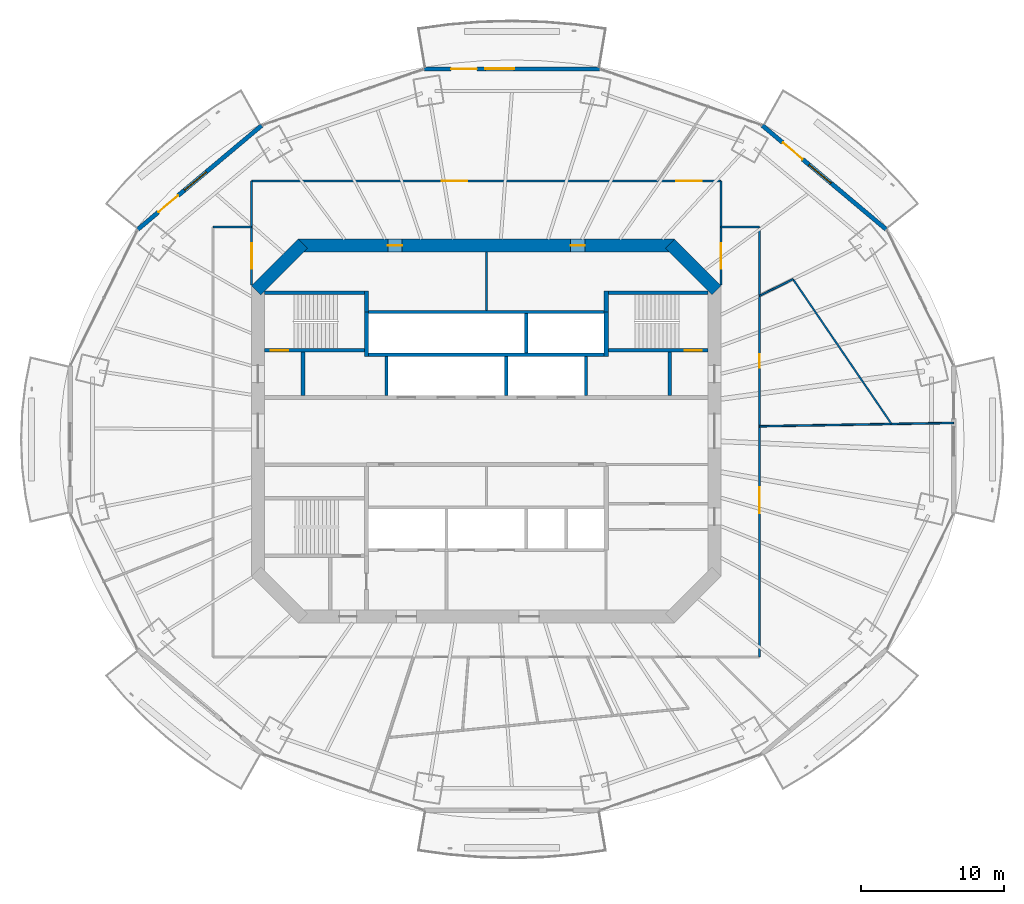
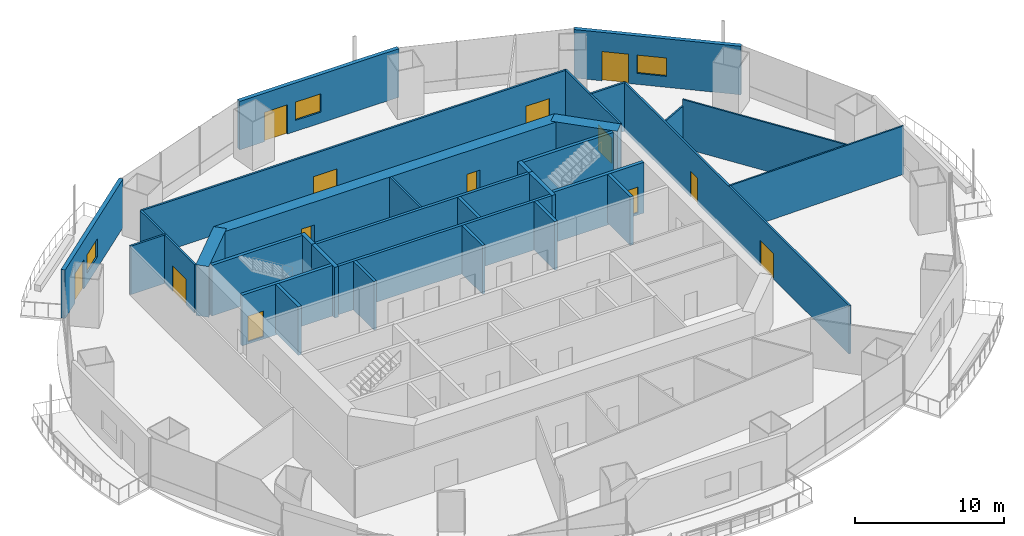
# One storey, part 14 of 21: 32 walls, 13 doors, 3 windows, 16 openings.
"""IFC4 building model written with IfcOpenShell, lengths in metres."""

from ifc_helpers import new_model, si_unit, direction, frame, frame_2d, origin, place, context, subcontext, project, spatial, rectangle, extrude, material, layer, layer_set, type_object, element, fill, save


model = new_model("IFC4")

# Units and contexts
model_context = context("Model", 3, precision=1e-05, world=origin(), true_north=direction((0.0, 1.0)))
body_context = subcontext(model_context, "Body", "Model", "MODEL_VIEW")
ifc_project = project(units=[si_unit("LENGTHUNIT", "METRE"), si_unit("AREAUNIT", "SQUARE_METRE"), si_unit("VOLUMEUNIT", "CUBIC_METRE"), si_unit("PLANEANGLEUNIT", "RADIAN"), si_unit("MASSUNIT", "GRAM", prefix="KILO")], contexts=[model_context])

# Site, building, storey
site_placement = place(None, origin())
site = spatial("IfcSite", under=ifc_project, at=site_placement, CompositionType="ELEMENT")
building_placement = place(site_placement, origin())
building = spatial("IfcBuilding", under=site, at=building_placement, Name="Marenthal Gate Tower", CompositionType="ELEMENT")
storey_placement = place(building_placement, frame((0.0, 0.0, 206.699951171875)))
storey = spatial("IfcBuildingStorey", under=building, at=storey_placement, Name="L45", CompositionType="ELEMENT", Elevation=206.699951171875)

# Wall
ifc_material_1 = material(Name="Concrete 60 MPa", Category="concrete")
ifc_layer_1 = layer(ifc_material_1, 0.89990234375)
ifc_layer_set_1 = layer_set([ifc_layer_1], Name="Core shear wall 900")
wall_type_1 = type_object("IfcWallType", Name="Core shear wall 900", PredefinedType="SHEAR", material=ifc_layer_set_1)
wall_1_placement = place(storey_placement, frame((16.1318359375, 9.8681640625, -0.179931640625), z_axis=(0.0, 0.0, 1.0), x_axis=(-0.707106781187, 0.707106781187, 0.0)))
element("IfcWall", 1, at=wall_1_placement, inside=storey, type_object=wall_type_1, Name="Core wall 03", PredefinedType="SHEAR", context=body_context, shape_type="SweptSolid", body=[
    extrude(rectangle(XDim=4.615478515625, YDim=0.89990234375, at=frame_2d((2.3076171875, 0.0))), origin(), (0.0, 0.0, 1.0), 4.14990234375),
])

# Wall, openings, doors
wall_2_placement = place(storey_placement, frame((13.186279296875, 13.0, -0.179931640625), z_axis=(0.0, 0.0, 1.0), x_axis=(-1.0, 0.0, 0.0)))
wall_2 = element("IfcWall", 2, at=wall_2_placement, inside=storey, type_object=wall_type_1, Name="Core wall 04", PredefinedType="SHEAR", context=body_context, shape_type="SweptSolid", body=[
    extrude(rectangle(XDim=26.37255859375, YDim=0.89990234375, at=frame_2d((13.186279296875, 0.0))), origin(), (0.0, 0.0, 1.0), 4.14990234375),
])
opening_1_placement = place(wall_2_placement, frame((19.093505859375, 0.0, 0.179931640625)))
opening_1 = element("IfcOpeningElement", 3, at=opening_1_placement, cuts=wall_2, Name="Opening D005.03", PredefinedType="OPENING", context=body_context, shape_type="SweptSolid", body=[
    extrude(rectangle(XDim=1.0, YDim=2.10009765625, at=frame_2d((0.5, 1.050048828125))), frame((0.0, 0.4599609375, 0.0), z_axis=(0.0, -1.0, 0.0), x_axis=(1.0, 0.0, 0.0)), (0.0, 0.0, 1.0), 0.919921875),
])
opening_2_placement = place(wall_2_placement, frame((6.279296875, 0.0, 0.179931640625)))
opening_2 = element("IfcOpeningElement", 4, at=opening_2_placement, cuts=wall_2, Name="Opening D005.04", PredefinedType="OPENING", context=body_context, shape_type="SweptSolid", body=[
    extrude(rectangle(XDim=1.0, YDim=2.10009765625, at=frame_2d((0.5, 1.050048828125))), frame((0.0, 0.4599609375, 0.0), z_axis=(0.0, -1.0, 0.0), x_axis=(1.0, 0.0, 0.0)), (0.0, 0.0, 1.0), 0.919921875),
])
ifc_material_2 = material(Name="Steel fire door", Category="steel")
door_type_1 = type_object("IfcDoorType", Name="Fire door FD 45 1000 x 2100", OperationType="NOTDEFINED", PredefinedType="DOOR", material=ifc_material_2)
door_1_placement = place(opening_1_placement, origin())
door_1 = element("IfcDoor", 5, at=door_1_placement, inside=storey, type_object=door_type_1, Name="Door D005.03", OperationType="SINGLE_SWING_RIGHT", OverallHeight=2.10009765625, OverallWidth=1.0, PredefinedType="DOOR", context=body_context, shape_type="SweptSolid", body=[
    extrude(rectangle(XDim=1.0, YDim=2.10009765625, at=frame_2d((0.5, 1.050048828125))), frame((0.0, 0.02490234375, 0.0), z_axis=(0.0, -1.0, 0.0), x_axis=(1.0, 0.0, 0.0)), (0.0, 0.0, 1.0), 0.050048828125),
])
fill(opening_1, door_1)
door_2_placement = place(opening_2_placement, origin())
door_2 = element("IfcDoor", 6, at=door_2_placement, inside=storey, type_object=door_type_1, Name="Door D005.04", OperationType="SINGLE_SWING_RIGHT", OverallHeight=2.10009765625, OverallWidth=1.0, PredefinedType="DOOR", context=body_context, shape_type="SweptSolid", body=[
    extrude(rectangle(XDim=1.0, YDim=2.10009765625, at=frame_2d((0.5, 1.050048828125))), frame((0.0, 0.02490234375, 0.0), z_axis=(0.0, -1.0, 0.0), x_axis=(1.0, 0.0, 0.0)), (0.0, 0.0, 1.0), 0.050048828125),
])
fill(opening_2, door_2)

# Walls
wall_3_placement = place(storey_placement, frame((-12.8681640625, 13.1318359375, -0.179931640625), z_axis=(0.0, 0.0, 1.0), x_axis=(-0.707106781187, -0.707106781187, 0.0)))
element("IfcWall", 7, at=wall_3_placement, inside=storey, type_object=wall_type_1, Name="Core wall 05", PredefinedType="SHEAR", context=body_context, shape_type="SweptSolid", body=[
    extrude(rectangle(XDim=4.615478515625, YDim=0.89990234375, at=frame_2d((2.3076171875, 0.0))), origin(), (0.0, 0.0, 1.0), 4.14990234375),
])
ifc_material_3 = material(Name="Concrete 50 MPa", Category="concrete")
ifc_layer_2 = layer(ifc_material_3, 0.300048828125)
ifc_layer_set_2 = layer_set([ifc_layer_2], Name="Hoistway shear wall 300")
wall_type_2 = type_object("IfcWallType", Name="Hoistway shear wall 300", PredefinedType="SHEAR", material=ifc_layer_set_2)
for number, where, z_axis, x_axis, name in (
    (8, (-8.39990234375, 5.239990234375, -0.179931640625), (0.0, 0.0, 1.0), (0.0, 1.0, 0.0), "Hoistway wall 32"),
    (9, (8.39990234375, 5.239990234375, -0.179931640625), (0.0, 0.0, 1.0), (0.0, 1.0, 0.0), "Hoistway wall 46"),
):
    element("IfcWall", number, at=place(storey_placement, frame(where, z_axis=z_axis, x_axis=x_axis)), inside=storey, type_object=wall_type_2, Name=name, PredefinedType="SHEAR", context=body_context, shape_type="SweptSolid", body=[
        extrude(rectangle(XDim=3.110107421875, YDim=0.300048828125, at=frame_2d((1.55517578125, 0.0))), origin(), (0.0, 0.0, 1.0), 4.14990234375),
    ])
ifc_material_4 = material(Name="Concrete 40 MPa", Category="concrete")
ifc_layer_3 = layer(ifc_material_4, 0.219970703125)
ifc_layer_set_3 = layer_set([ifc_layer_3], Name="Hoistway wall 220")
wall_type_3 = type_object("IfcWallType", Name="Hoistway wall 220", PredefinedType="STANDARD", material=ifc_layer_set_3)
for number, where, z_axis, x_axis, name in (
    (10, (-8.25, 5.35009765625, 0.0), (0.0, 0.0, 1.0), (1.0, 0.0, 0.0), "Hoistway wall 22"),
    (11, (-8.25, 8.35009765625, 0.0), (0.0, 0.0, 1.0), (1.0, 0.0, 0.0), "Hoistway wall 25"),
):
    element("IfcWall", number, at=place(storey_placement, frame(where, z_axis=z_axis, x_axis=x_axis)), inside=storey, type_object=wall_type_3, Name=name, PredefinedType="STANDARD", context=body_context, shape_type="SweptSolid", body=[
        extrude(rectangle(XDim=16.5, YDim=0.219970703125, at=frame_2d((8.25, 0.0))), origin(), (0.0, 0.0, 1.0), 3.969970703125),
    ])
for number, where, z_axis, x_axis, name in (
    (12, (-7.0, 2.5, 0.0), (0.0, 0.0, 1.0), (0.0, 1.0, 0.0), "Hoistway wall 34"),
    (13, (1.39990234375, 2.5, 0.0), (0.0, 0.0, 1.0), (0.0, 1.0, 0.0), "Hoistway wall 39"),
):
    element("IfcWall", number, at=place(storey_placement, frame(where, z_axis=z_axis, x_axis=x_axis)), inside=storey, type_object=wall_type_3, Name=name, PredefinedType="STANDARD", context=body_context, shape_type="SweptSolid", body=[
        extrude(rectangle(XDim=2.739990234375, YDim=0.219970703125, at=frame_2d((1.3701171875, 0.0))), origin(), (0.0, 0.0, 1.0), 3.969970703125),
    ])
wall_4_placement = place(storey_placement, frame((2.800048828125, 5.4599609375, 0.0), z_axis=(0.0, 0.0, 1.0), x_axis=(0.0, 1.0, 0.0)))
element("IfcWall", 14, at=wall_4_placement, inside=storey, type_object=wall_type_3, Name="Hoistway wall 41", PredefinedType="STANDARD", context=body_context, shape_type="SweptSolid", body=[
    extrude(rectangle(XDim=2.780029296875, YDim=0.219970703125, at=frame_2d((1.39013671875, 0.0))), origin(), (0.0, 0.0, 1.0), 3.969970703125),
])
wall_5_placement = place(storey_placement, frame((7.0, 2.5, 0.0), z_axis=(0.0, 0.0, 1.0), x_axis=(0.0, 1.0, 0.0)))
element("IfcWall", 15, at=wall_5_placement, inside=storey, type_object=wall_type_3, Name="Hoistway wall 43", PredefinedType="STANDARD", context=body_context, shape_type="SweptSolid", body=[
    extrude(rectangle(XDim=2.739990234375, YDim=0.219970703125, at=frame_2d((1.3701171875, 0.0))), origin(), (0.0, 0.0, 1.0), 3.969970703125),
])
ifc_material_5 = material(Name="Gypsum board on steel studs", Category="steel")
ifc_layer_4 = layer(ifc_material_5, 0.1201171875)
ifc_layer_set_4 = layer_set([ifc_layer_4], Name="Partition 120")
wall_type_4 = type_object("IfcWallType", Name="Partition 120", PredefinedType="PARTITIONING", material=ifc_layer_set_4)
wall_6_placement = place(storey_placement, frame((19.14990234375, 0.33251953125, 0.0), z_axis=(0.0, 0.0, 1.0), x_axis=(0.999849395868, 0.01735469912, 0.0)))
element("IfcWall", 16, at=wall_6_placement, inside=storey, type_object=wall_type_4, Name="Partition wall 65", PredefinedType="PARTITIONING", context=body_context, shape_type="SweptSolid", body=[
    extrude(rectangle(XDim=13.617431640625, YDim=0.1201171875, at=frame_2d((6.80859375, 0.0))), origin(), (0.0, 0.0, 1.0), 3.969970703125),
])
wall_7_placement = place(storey_placement, frame((21.502685546875, 10.64111328125, 0.0), z_axis=(0.0, 0.0, 1.0), x_axis=(-0.896298018084, -0.443452210254, 0.0)))
element("IfcWall", 17, at=wall_7_placement, inside=storey, type_object=wall_type_4, Name="Partition wall 67", PredefinedType="PARTITIONING", context=body_context, shape_type="SweptSolid", body=[
    extrude(rectangle(XDim=2.625, YDim=0.1201171875, at=frame_2d((1.3125, 0.0))), origin(), (0.0, 0.0, 1.0), 3.426025390625),
])
wall_8_placement = place(storey_placement, frame((28.408447265625, 0.493408203125, 0.0), z_axis=(0.0, 0.0, 1.0), x_axis=(-0.562606484452, 0.826724829464, 0.0)))
element("IfcWall", 18, at=wall_8_placement, inside=storey, type_object=wall_type_4, Name="Partition wall 68", PredefinedType="PARTITIONING", context=body_context, shape_type="SweptSolid", body=[
    extrude(rectangle(XDim=12.274658203125, YDim=0.1201171875, at=frame_2d((6.13720703125, 0.0))), origin(), (0.0, 0.0, 1.0), 3.969970703125),
])
ifc_material_6 = material(Name="Gypsum board on steel studs", Category="steel")
ifc_layer_5 = layer(ifc_material_6, 0.14990234375)
ifc_layer_set_5 = layer_set([ifc_layer_5], Name="Partition 150")
wall_type_5 = type_object("IfcWallType", Name="Partition 150", PredefinedType="PARTITIONING", material=ifc_layer_set_5)
wall_9_placement = place(storey_placement, frame((0.0, 8.4599609375, 0.0), z_axis=(0.0, 0.0, 1.0), x_axis=(0.0, 1.0, 0.0)))
element("IfcWall", 19, at=wall_9_placement, inside=storey, type_object=wall_type_5, Name="Partition wall 38", PredefinedType="PARTITIONING", context=body_context, shape_type="SweptSolid", body=[
    extrude(rectangle(XDim=4.090087890625, YDim=0.14990234375, at=frame_2d((2.044921875, 0.0))), origin(), (0.0, 0.0, 1.0), 3.969970703125),
])
wall_10_placement = place(storey_placement, frame((-19.14990234375, 14.30126953125, 0.0), z_axis=(0.0, 0.0, 1.0), x_axis=(1.0, 0.0, 0.0)))
element("IfcWall", 20, at=wall_10_placement, inside=storey, type_object=wall_type_5, Name="Partition wall 51", PredefinedType="PARTITIONING", context=body_context, shape_type="SweptSolid", body=[
    extrude(rectangle(XDim=2.699951171875, YDim=0.14990234375, at=frame_2d((1.35009765625, 0.0))), origin(), (0.0, 0.0, 1.0), 3.969970703125),
])

# Wall, opening, door
wall_11_placement = place(storey_placement, frame((-16.449951171875, 10.25, 0.0), z_axis=(0.0, 0.0, 1.0), x_axis=(0.0, 1.0, 0.0)))
wall_11 = element("IfcWall", 21, at=wall_11_placement, inside=storey, type_object=wall_type_5, Name="Partition wall 52", PredefinedType="PARTITIONING", context=body_context, shape_type="SweptSolid", body=[
    extrude(rectangle(XDim=7.284423828125, YDim=0.14990234375, at=frame_2d((3.64208984375, 0.0))), origin(), (0.0, 0.0, 1.0), 3.969970703125),
])
opening_3_placement = place(wall_11_placement, frame((1.1259765625, 0.0, 0.0)))
opening_3 = element("IfcOpeningElement", 22, at=opening_3_placement, cuts=wall_11, Name="Opening D014.05", PredefinedType="OPENING", context=body_context, shape_type="SweptSolid", body=[
    extrude(rectangle(XDim=1.800048828125, YDim=2.10009765625, at=frame_2d((0.89990234375, 1.050048828125))), frame((0.0, 0.0849609375, 0.0), z_axis=(0.0, -1.0, 0.0), x_axis=(1.0, 0.0, 0.0)), (0.0, 0.0, 1.0), 0.169921875),
])
ifc_material_7 = material(Name="Timber door", Category="wood")
door_type_2 = type_object("IfcDoorType", Name="Double door 1800 x 2100", OperationType="DOUBLE_DOOR_SINGLE_SWING", PredefinedType="DOOR", material=ifc_material_7)
door_3_placement = place(opening_3_placement, origin())
door_3 = element("IfcDoor", 23, at=door_3_placement, inside=storey, type_object=door_type_2, Name="Door D014.05", OperationType="DOUBLE_DOOR_SINGLE_SWING", OverallHeight=2.10009765625, OverallWidth=1.800048828125, PredefinedType="DOOR", context=body_context, shape_type="SweptSolid", body=[
    extrude(rectangle(XDim=1.800048828125, YDim=2.10009765625, at=frame_2d((0.89990234375, 1.050048828125))), frame((0.0, 0.02490234375, 0.0), z_axis=(0.0, -1.0, 0.0), x_axis=(1.0, 0.0, 0.0)), (0.0, 0.0, 1.0), 0.050048828125),
])
fill(opening_3, door_3)

# Wall, openings, doors
wall_12_placement = place(storey_placement, frame((-16.449951171875, 17.534423828125, 0.0), z_axis=(0.0, 0.0, 1.0), x_axis=(1.0, 0.0, 0.0)))
wall_12 = element("IfcWall", 24, at=wall_12_placement, inside=storey, type_object=wall_type_5, Name="Partition wall 53", PredefinedType="PARTITIONING", context=body_context, shape_type="SweptSolid", body=[
    extrude(rectangle(XDim=32.89990234375, YDim=0.14990234375, at=frame_2d((16.449951171875, 0.0))), origin(), (0.0, 0.0, 1.0), 3.969970703125),
])
opening_4_placement = place(wall_12_placement, frame((29.761962890625, 0.0, 0.0)))
opening_4 = element("IfcOpeningElement", 25, at=opening_4_placement, cuts=wall_12, Name="Opening D014.01", PredefinedType="OPENING", context=body_context, shape_type="SweptSolid", body=[
    extrude(rectangle(XDim=1.800048828125, YDim=2.10009765625, at=frame_2d((0.89990234375, 1.050048828125))), frame((0.0, 0.0849609375, 0.0), z_axis=(0.0, -1.0, 0.0), x_axis=(1.0, 0.0, 0.0)), (0.0, 0.0, 1.0), 0.169921875),
])
opening_5_placement = place(wall_12_placement, frame((13.31201171875, 0.0, 0.0)))
opening_5 = element("IfcOpeningElement", 26, at=opening_5_placement, cuts=wall_12, Name="Opening D014.02", PredefinedType="OPENING", context=body_context, shape_type="SweptSolid", body=[
    extrude(rectangle(XDim=1.800048828125, YDim=2.10009765625, at=frame_2d((0.89990234375, 1.050048828125))), frame((0.0, 0.0849609375, 0.0), z_axis=(0.0, -1.0, 0.0), x_axis=(1.0, 0.0, 0.0)), (0.0, 0.0, 1.0), 0.169921875),
])
door_4_placement = place(opening_4_placement, origin())
door_4 = element("IfcDoor", 27, at=door_4_placement, inside=storey, type_object=door_type_2, Name="Door D014.01", OperationType="DOUBLE_DOOR_SINGLE_SWING", OverallHeight=2.10009765625, OverallWidth=1.800048828125, PredefinedType="DOOR", context=body_context, shape_type="SweptSolid", body=[
    extrude(rectangle(XDim=1.800048828125, YDim=2.10009765625, at=frame_2d((0.89990234375, 1.050048828125))), frame((0.0, 0.02490234375, 0.0), z_axis=(0.0, -1.0, 0.0), x_axis=(1.0, 0.0, 0.0)), (0.0, 0.0, 1.0), 0.050048828125),
])
fill(opening_4, door_4)
door_5_placement = place(opening_5_placement, origin())
door_5 = element("IfcDoor", 28, at=door_5_placement, inside=storey, type_object=door_type_2, Name="Door D014.02", OperationType="DOUBLE_DOOR_SINGLE_SWING", OverallHeight=2.10009765625, OverallWidth=1.800048828125, PredefinedType="DOOR", context=body_context, shape_type="SweptSolid", body=[
    extrude(rectangle(XDim=1.800048828125, YDim=2.10009765625, at=frame_2d((0.89990234375, 1.050048828125))), frame((0.0, 0.02490234375, 0.0), z_axis=(0.0, -1.0, 0.0), x_axis=(1.0, 0.0, 0.0)), (0.0, 0.0, 1.0), 0.050048828125),
])
fill(opening_5, door_5)

# Wall, opening, door
wall_13_placement = place(storey_placement, frame((16.449951171875, 10.25, 0.0), z_axis=(0.0, 0.0, 1.0), x_axis=(0.0, 1.0, 0.0)))
wall_13 = element("IfcWall", 29, at=wall_13_placement, inside=storey, type_object=wall_type_5, Name="Partition wall 62", PredefinedType="PARTITIONING", context=body_context, shape_type="SweptSolid", body=[
    extrude(rectangle(XDim=7.284423828125, YDim=0.14990234375, at=frame_2d((3.64208984375, 0.0))), origin(), (0.0, 0.0, 1.0), 3.969970703125),
])
opening_6_placement = place(wall_13_placement, frame((1.1259765625, 0.0, 0.0)))
opening_6 = element("IfcOpeningElement", 30, at=opening_6_placement, cuts=wall_13, Name="Opening D014.06", PredefinedType="OPENING", context=body_context, shape_type="SweptSolid", body=[
    extrude(rectangle(XDim=1.800048828125, YDim=2.10009765625, at=frame_2d((0.89990234375, 1.050048828125))), frame((0.0, 0.0849609375, 0.0), z_axis=(0.0, -1.0, 0.0), x_axis=(1.0, 0.0, 0.0)), (0.0, 0.0, 1.0), 0.169921875),
])
door_6_placement = place(opening_6_placement, origin())
door_6 = element("IfcDoor", 31, at=door_6_placement, inside=storey, type_object=door_type_2, Name="Door D014.06", OperationType="DOUBLE_DOOR_SINGLE_SWING", OverallHeight=2.10009765625, OverallWidth=1.800048828125, PredefinedType="DOOR", context=body_context, shape_type="SweptSolid", body=[
    extrude(rectangle(XDim=1.800048828125, YDim=2.10009765625, at=frame_2d((0.89990234375, 1.050048828125))), frame((0.0, 0.02490234375, 0.0), z_axis=(0.0, -1.0, 0.0), x_axis=(1.0, 0.0, 0.0)), (0.0, 0.0, 1.0), 0.050048828125),
])
fill(opening_6, door_6)

# Wall
wall_14_placement = place(storey_placement, frame((16.449951171875, 14.30126953125, 0.0), z_axis=(0.0, 0.0, 1.0), x_axis=(1.0, 0.0, 0.0)))
element("IfcWall", 32, at=wall_14_placement, inside=storey, type_object=wall_type_5, Name="Partition wall 63", PredefinedType="PARTITIONING", context=body_context, shape_type="SweptSolid", body=[
    extrude(rectangle(XDim=2.699951171875, YDim=0.14990234375, at=frame_2d((1.35009765625, 0.0))), origin(), (0.0, 0.0, 1.0), 3.969970703125),
])

# Wall, openings, doors
wall_15_placement = place(storey_placement, frame((19.14990234375, 14.30126953125, 0.0), z_axis=(0.0, 0.0, 1.0), x_axis=(0.0, -1.0, 0.0)))
wall_15 = element("IfcWall", 33, at=wall_15_placement, inside=storey, type_object=wall_type_5, Name="Partition wall 66", PredefinedType="PARTITIONING", context=body_context, shape_type="SweptSolid", body=[
    extrude(rectangle(XDim=30.1513671875, YDim=0.14990234375, at=frame_2d((15.07568359375, 0.0))), origin(), (0.0, 0.0, 1.0), 3.969970703125),
])
opening_7_placement = place(wall_15_placement, frame((8.9208984375, 0.0, 0.0)))
opening_7 = element("IfcOpeningElement", 34, at=opening_7_placement, cuts=wall_15, Name="Opening D016.01", PredefinedType="OPENING", context=body_context, shape_type="SweptSolid", body=[
    extrude(rectangle(XDim=0.949951171875, YDim=2.10009765625, at=frame_2d((0.47509765625, 1.050048828125))), frame((0.0, 0.0849609375, 0.0), z_axis=(0.0, -1.0, 0.0), x_axis=(1.0, 0.0, 0.0)), (0.0, 0.0, 1.0), 0.169921875),
])
opening_8_placement = place(wall_15_placement, frame((18.260009765625, 0.0, 0.0)))
opening_8 = element("IfcOpeningElement", 35, at=opening_8_placement, cuts=wall_15, Name="Opening D014.04", PredefinedType="OPENING", context=body_context, shape_type="SweptSolid", body=[
    extrude(rectangle(XDim=1.800048828125, YDim=2.10009765625, at=frame_2d((0.89990234375, 1.050048828125))), frame((0.0, 0.0849609375, 0.0), z_axis=(0.0, -1.0, 0.0), x_axis=(1.0, 0.0, 0.0)), (0.0, 0.0, 1.0), 0.169921875),
])
ifc_material_8 = material(Name="Timber door", Category="wood")
door_type_3 = type_object("IfcDoorType", Name="Door 950 x 2100", OperationType="NOTDEFINED", PredefinedType="DOOR", material=ifc_material_8)
door_7_placement = place(opening_7_placement, origin())
door_7 = element("IfcDoor", 36, at=door_7_placement, inside=storey, type_object=door_type_3, Name="Door D016.01", OperationType="SINGLE_SWING_RIGHT", OverallHeight=2.10009765625, OverallWidth=0.949951171875, PredefinedType="DOOR", context=body_context, shape_type="SweptSolid", body=[
    extrude(rectangle(XDim=0.949951171875, YDim=2.10009765625, at=frame_2d((0.47509765625, 1.050048828125))), frame((0.0, 0.02490234375, 0.0), z_axis=(0.0, -1.0, 0.0), x_axis=(1.0, 0.0, 0.0)), (0.0, 0.0, 1.0), 0.050048828125),
])
fill(opening_7, door_7)
door_8_placement = place(opening_8_placement, origin())
door_8 = element("IfcDoor", 37, at=door_8_placement, inside=storey, type_object=door_type_2, Name="Door D014.04", OperationType="DOUBLE_DOOR_SINGLE_SWING", OverallHeight=2.10009765625, OverallWidth=1.800048828125, PredefinedType="DOOR", context=body_context, shape_type="SweptSolid", body=[
    extrude(rectangle(XDim=1.800048828125, YDim=2.10009765625, at=frame_2d((0.89990234375, 1.050048828125))), frame((0.0, 0.02490234375, 0.0), z_axis=(0.0, -1.0, 0.0), x_axis=(1.0, 0.0, 0.0)), (0.0, 0.0, 1.0), 0.050048828125),
])
fill(opening_8, door_8)

# Walls
ifc_material_9 = material(Name="Concrete 40 MPa", Category="concrete")
ifc_layer_6 = layer(ifc_material_9, 0.25)
ifc_layer_set_6 = layer_set([ifc_layer_6], Name="Stair enclosure wall 250")
wall_type_6 = type_object("IfcWallType", Name="Stair enclosure wall 250", PredefinedType="STANDARD", material=ifc_layer_set_6)
for number, where, z_axis, x_axis, name in (
    (38, (-12.85009765625, 2.47509765625, 0.0), (0.0, 0.0, 1.0), (0.0, 1.0, 0.0), "Stair wall 28"),
    (39, (12.85009765625, 2.47509765625, 0.0), (0.0, 0.0, 1.0), (0.0, 1.0, 0.0), "Stair wall 48"),
):
    element("IfcWall", number, at=place(storey_placement, frame(where, z_axis=z_axis, x_axis=x_axis)), inside=storey, type_object=wall_type_6, Name=name, PredefinedType="STANDARD", context=body_context, shape_type="SweptSolid", body=[
        extrude(rectangle(XDim=3.0498046875, YDim=0.25, at=frame_2d((1.52490234375, 0.0))), origin(), (0.0, 0.0, 1.0), 3.969970703125),
    ])

# Wall, opening, door
ifc_material_10 = material(Name="Concrete 50 MPa", Category="concrete")
ifc_layer_7 = layer(ifc_material_10, 0.25)
ifc_layer_set_7 = layer_set([ifc_layer_7], Name="Stair shear wall 250")
wall_type_7 = type_object("IfcWallType", Name="Stair shear wall 250", PredefinedType="SHEAR", material=ifc_layer_set_7)
wall_16_placement = place(storey_placement, frame((-15.550048828125, 5.64990234375, -0.179931640625), z_axis=(0.0, 0.0, 1.0), x_axis=(1.0, 0.0, 0.0)))
wall_16 = element("IfcWall", 40, at=wall_16_placement, inside=storey, type_object=wall_type_7, Name="Stair wall 23", PredefinedType="SHEAR", context=body_context, shape_type="SweptSolid", body=[
    extrude(rectangle(XDim=7.0, YDim=0.25, at=frame_2d((3.5, 0.0))), origin(), (0.0, 0.0, 1.0), 4.14990234375),
])
opening_9_placement = place(wall_16_placement, frame((0.449951171875, 0.0, 0.179931640625)))
opening_9 = element("IfcOpeningElement", 41, at=opening_9_placement, cuts=wall_16, Name="Opening D001.01", PredefinedType="OPENING", context=body_context, shape_type="SweptSolid", body=[
    extrude(rectangle(XDim=1.199951171875, YDim=2.10009765625, at=frame_2d((0.60009765625, 1.050048828125))), frame((0.0, 0.135009765625, 0.0), z_axis=(0.0, -1.0, 0.0), x_axis=(1.0, 0.0, 0.0)), (0.0, 0.0, 1.0), 0.27001953125),
])
ifc_material_11 = material(Name="Steel fire door", Category="steel")
door_type_4 = type_object("IfcDoorType", Name="Fire door FD 90 1200 x 2100", OperationType="NOTDEFINED", PredefinedType="DOOR", material=ifc_material_11)
door_9_placement = place(opening_9_placement, origin())
door_9 = element("IfcDoor", 42, at=door_9_placement, inside=storey, type_object=door_type_4, Name="Door D001.01", OperationType="SINGLE_SWING_RIGHT", OverallHeight=2.10009765625, OverallWidth=1.199951171875, PredefinedType="DOOR", context=body_context, shape_type="SweptSolid", body=[
    extrude(rectangle(XDim=1.199951171875, YDim=2.10009765625, at=frame_2d((0.60009765625, 1.050048828125))), frame((0.0, 0.02490234375, 0.0), z_axis=(0.0, -1.0, 0.0), x_axis=(1.0, 0.0, 0.0)), (0.0, 0.0, 1.0), 0.050048828125),
])
fill(opening_9, door_9)

wall_17_placement = place(storey_placement, frame((8.550048828125, 5.64990234375, -0.179931640625), z_axis=(0.0, 0.0, 1.0), x_axis=(1.0, 0.0, 0.0)))
wall_17 = element("IfcWall", 43, at=wall_17_placement, inside=storey, type_object=wall_type_7, Name="Stair wall 24", PredefinedType="SHEAR", context=body_context, shape_type="SweptSolid", body=[
    extrude(rectangle(XDim=7.0, YDim=0.25, at=frame_2d((3.5, 0.0))), origin(), (0.0, 0.0, 1.0), 4.14990234375),
])
opening_10_placement = place(wall_17_placement, frame((5.35009765625, 0.0, 0.179931640625)))
opening_10 = element("IfcOpeningElement", 44, at=opening_10_placement, cuts=wall_17, Name="Opening D001.02", PredefinedType="OPENING", context=body_context, shape_type="SweptSolid", body=[
    extrude(rectangle(XDim=1.199951171875, YDim=2.10009765625, at=frame_2d((0.60009765625, 1.050048828125))), frame((0.0, 0.135009765625, 0.0), z_axis=(0.0, -1.0, 0.0), x_axis=(1.0, 0.0, 0.0)), (0.0, 0.0, 1.0), 0.27001953125),
])
door_10_placement = place(opening_10_placement, origin())
door_10 = element("IfcDoor", 45, at=door_10_placement, inside=storey, type_object=door_type_4, Name="Door D001.02", OperationType="SINGLE_SWING_RIGHT", OverallHeight=2.10009765625, OverallWidth=1.199951171875, PredefinedType="DOOR", context=body_context, shape_type="SweptSolid", body=[
    extrude(rectangle(XDim=1.199951171875, YDim=2.10009765625, at=frame_2d((0.60009765625, 1.050048828125))), frame((0.0, 0.02490234375, 0.0), z_axis=(0.0, -1.0, 0.0), x_axis=(1.0, 0.0, 0.0)), (0.0, 0.0, 1.0), 0.050048828125),
])
fill(opening_10, door_10)

# Walls
for number, where, z_axis, x_axis, name in (
    (46, (-15.550048828125, 9.699951171875, -0.179931640625), (0.0, 0.0, 1.0), (1.0, 0.0, 0.0), "Stair wall 26"),
    (47, (8.550048828125, 9.699951171875, -0.179931640625), (0.0, 0.0, 1.0), (1.0, 0.0, 0.0), "Stair wall 27"),
):
    element("IfcWall", number, at=place(storey_placement, frame(where, z_axis=z_axis, x_axis=x_axis)), inside=storey, type_object=wall_type_7, Name=name, PredefinedType="SHEAR", context=body_context, shape_type="SweptSolid", body=[
        extrude(rectangle(XDim=7.0, YDim=0.25, at=frame_2d((3.5, 0.0))), origin(), (0.0, 0.0, 1.0), 4.14990234375),
    ])
ifc_material_12 = material(Name="Concrete 50 MPa", Category="concrete")
ifc_layer_8 = layer(ifc_material_12, 0.300048828125)
ifc_layer_set_8 = layer_set([ifc_layer_8], Name="Stair shear wall 300")
wall_type_8 = type_object("IfcWallType", Name="Stair shear wall 300", PredefinedType="SHEAR", material=ifc_layer_set_8)
for number, where, z_axis, x_axis, name in (
    (48, (-8.39990234375, 8.35009765625, -0.179931640625), (0.0, 0.0, 1.0), (0.0, 1.0, 0.0), "Stair wall 33"),
    (49, (8.39990234375, 8.35009765625, -0.179931640625), (0.0, 0.0, 1.0), (0.0, 1.0, 0.0), "Stair wall 47"),
):
    element("IfcWall", number, at=place(storey_placement, frame(where, z_axis=z_axis, x_axis=x_axis)), inside=storey, type_object=wall_type_8, Name=name, PredefinedType="SHEAR", context=body_context, shape_type="SweptSolid", body=[
        extrude(rectangle(XDim=1.474853515625, YDim=0.300048828125, at=frame_2d((0.7373046875, 0.0))), origin(), (0.0, 0.0, 1.0), 4.14990234375),
    ])

# Wall, openings, door, window
ifc_material_13 = material(Name="Terracotta cladding on insulated concrete-block backing", Category="masonry")
ifc_layer_9 = layer(ifc_material_13, 0.300048828125)
ifc_layer_set_9 = layer_set([ifc_layer_9], Name="Terracotta facade wall 300")
wall_type_9 = type_object("IfcWallType", Name="Terracotta facade wall 300", PredefinedType="SOLIDWALL", material=ifc_layer_set_9)
wall_18_placement = place(storey_placement, frame((28.05126953125, 14.119873046875, 0.0), z_axis=(0.0, 0.0, 1.0), x_axis=(-0.766004647457, 0.642835033329, 0.0)))
wall_18 = element("IfcWall", 50, at=wall_18_placement, inside=storey, type_object=wall_type_9, Name="Terracotta facade wall L45 bay 2", PredefinedType="SOLIDWALL", context=body_context, shape_type="SweptSolid", body=[
    extrude(rectangle(XDim=11.37158203125, YDim=0.300048828125, at=frame_2d((5.685791015625, 0.0))), origin(), (0.0, 0.0, 1.0), 3.969970703125),
])
opening_11_placement = place(wall_18_placement, frame((7.671630859375, 0.0, 0.0)))
opening_11 = element("IfcOpeningElement", 51, at=opening_11_placement, cuts=wall_18, Name="Opening BD-L45-02", PredefinedType="OPENING", context=body_context, shape_type="SweptSolid", body=[
    extrude(rectangle(XDim=1.800048828125, YDim=2.39990234375, at=frame_2d((0.89990234375, 1.199951171875))), frame((0.0, 0.16015625, 0.0), z_axis=(0.0, -1.0, 0.0), x_axis=(1.0, 0.0, 0.0)), (0.0, 0.0, 1.0), 0.320068359375),
])
opening_12_placement = place(wall_18_placement, frame((5.071533203125, 0.0, 0.89990234375)))
opening_12 = element("IfcOpeningElement", 52, at=opening_12_placement, cuts=wall_18, Name="Opening WN2-L45-02", PredefinedType="OPENING", context=body_context, shape_type="SweptSolid", body=[
    extrude(rectangle(XDim=2.0, YDim=1.5, at=frame_2d((1.0, 0.75))), frame((0.0, 0.16015625, 0.0), z_axis=(0.0, -1.0, 0.0), x_axis=(1.0, 0.0, 0.0)), (0.0, 0.0, 1.0), 0.320068359375),
])
ifc_material_14 = material(Name="Aluminium and glass", Category="aluminium")
door_type_5 = type_object("IfcDoorType", Name="Balcony door 1800x2400", OperationType="DOUBLE_DOOR_SINGLE_SWING", PredefinedType="DOOR", material=ifc_material_14)
door_11_placement = place(opening_11_placement, origin())
door_11 = element("IfcDoor", 53, at=door_11_placement, inside=storey, type_object=door_type_5, Name="Balcony door L45 bay 2", OperationType="SINGLE_SWING_LEFT", OverallHeight=2.39990234375, OverallWidth=1.800048828125, PredefinedType="DOOR", context=body_context, shape_type="SweptSolid", body=[
    extrude(rectangle(XDim=1.800048828125, YDim=2.39990234375, at=frame_2d((0.89990234375, 1.199951171875))), frame((0.0, 0.02490234375, 0.0), z_axis=(0.0, -1.0, 0.0), x_axis=(1.0, 0.0, 0.0)), (0.0, 0.0, 1.0), 0.050048828125),
])
fill(opening_11, door_11)
ifc_material_15 = material(Name="Aluminium and glass", Category="aluminium")
window_type = type_object("IfcWindowType", Name="Window 2000x1500", PartitioningType="DOUBLE_PANEL_VERTICAL", PredefinedType="WINDOW", material=ifc_material_15)
window_1_placement = place(opening_12_placement, origin())
window_1 = element("IfcWindow", 54, at=window_1_placement, inside=storey, type_object=window_type, Name="Window L45 bay 2", OverallHeight=1.5, OverallWidth=2.0, PartitioningType="SINGLE_PANEL", PredefinedType="WINDOW", context=body_context, shape_type="SweptSolid", body=[
    extrude(rectangle(XDim=2.0, YDim=1.5, at=frame_2d((1.0, 0.75))), frame((0.0, 0.030029296875, 0.0), z_axis=(0.0, -1.0, 0.0), x_axis=(1.0, 0.0, 0.0)), (0.0, 0.0, 1.0), 0.06005859375),
])
fill(opening_12, window_1)

wall_19_placement = place(storey_placement, frame((7.95947265625, 25.385986328125, 0.0), z_axis=(0.0, 0.0, 1.0), x_axis=(-1.0, 0.0, 0.0)))
wall_19 = element("IfcWall", 55, at=wall_19_placement, inside=storey, type_object=wall_type_9, Name="Terracotta facade wall L45 bay 4", PredefinedType="SOLIDWALL", context=body_context, shape_type="SweptSolid", body=[
    extrude(rectangle(XDim=12.31884765625, YDim=0.300048828125, at=frame_2d((6.159423828125, 0.0))), origin(), (0.0, 0.0, 1.0), 3.969970703125),
])
opening_13_placement = place(wall_19_placement, frame((8.618896484375, 0.0, 0.0)))
opening_13 = element("IfcOpeningElement", 56, at=opening_13_placement, cuts=wall_19, Name="Opening BD-L45-04", PredefinedType="OPENING", context=body_context, shape_type="SweptSolid", body=[
    extrude(rectangle(XDim=1.800048828125, YDim=2.39990234375, at=frame_2d((0.89990234375, 1.199951171875))), frame((0.0, 0.16015625, 0.0), z_axis=(0.0, -1.0, 0.0), x_axis=(1.0, 0.0, 0.0)), (0.0, 0.0, 1.0), 0.320068359375),
])
opening_14_placement = place(wall_19_placement, frame((6.018798828125, 0.0, 0.89990234375)))
opening_14 = element("IfcOpeningElement", 57, at=opening_14_placement, cuts=wall_19, Name="Opening WN2-L45-04", PredefinedType="OPENING", context=body_context, shape_type="SweptSolid", body=[
    extrude(rectangle(XDim=2.0, YDim=1.5, at=frame_2d((1.0, 0.75))), frame((0.0, 0.16015625, 0.0), z_axis=(0.0, -1.0, 0.0), x_axis=(1.0, 0.0, 0.0)), (0.0, 0.0, 1.0), 0.320068359375),
])
door_12_placement = place(opening_13_placement, origin())
door_12 = element("IfcDoor", 58, at=door_12_placement, inside=storey, type_object=door_type_5, Name="Balcony door L45 bay 4", OperationType="SINGLE_SWING_LEFT", OverallHeight=2.39990234375, OverallWidth=1.800048828125, PredefinedType="DOOR", context=body_context, shape_type="SweptSolid", body=[
    extrude(rectangle(XDim=1.800048828125, YDim=2.39990234375, at=frame_2d((0.89990234375, 1.199951171875))), frame((0.0, 0.02490234375, 0.0), z_axis=(0.0, -1.0, 0.0), x_axis=(1.0, 0.0, 0.0)), (0.0, 0.0, 1.0), 0.050048828125),
])
fill(opening_13, door_12)
window_2_placement = place(opening_14_placement, origin())
window_2 = element("IfcWindow", 59, at=window_2_placement, inside=storey, type_object=window_type, Name="Window L45 bay 4", OverallHeight=1.5, OverallWidth=2.0, PartitioningType="SINGLE_PANEL", PredefinedType="WINDOW", context=body_context, shape_type="SweptSolid", body=[
    extrude(rectangle(XDim=2.0, YDim=1.5, at=frame_2d((1.0, 0.75))), frame((0.0, 0.030029296875, 0.0), z_axis=(0.0, -1.0, 0.0), x_axis=(1.0, 0.0, 0.0)), (0.0, 0.0, 1.0), 0.06005859375),
])
fill(opening_14, window_2)

wall_20_placement = place(storey_placement, frame((-15.740478515625, 21.4296875, 0.0), z_axis=(0.0, 0.0, 1.0), x_axis=(-0.766015219317, -0.64282243565, 0.0)))
wall_20 = element("IfcWall", 60, at=wall_20_placement, inside=storey, type_object=wall_type_9, Name="Terracotta facade wall L45 bay 6", PredefinedType="SOLIDWALL", context=body_context, shape_type="SweptSolid", body=[
    extrude(rectangle(XDim=11.371337890625, YDim=0.300048828125, at=frame_2d((5.685546875, 0.0))), origin(), (0.0, 0.0, 1.0), 3.969970703125),
])
opening_15_placement = place(wall_20_placement, frame((7.671630859375, 0.0, 0.0)))
opening_15 = element("IfcOpeningElement", 61, at=opening_15_placement, cuts=wall_20, Name="Opening BD-L45-06", PredefinedType="OPENING", context=body_context, shape_type="SweptSolid", body=[
    extrude(rectangle(XDim=1.800048828125, YDim=2.39990234375, at=frame_2d((0.89990234375, 1.199951171875))), frame((0.0, 0.16015625, 0.0), z_axis=(0.0, -1.0, 0.0), x_axis=(1.0, 0.0, 0.0)), (0.0, 0.0, 1.0), 0.320068359375),
])
opening_16_placement = place(wall_20_placement, frame((5.071533203125, 0.0, 0.89990234375)))
opening_16 = element("IfcOpeningElement", 62, at=opening_16_placement, cuts=wall_20, Name="Opening WN2-L45-06", PredefinedType="OPENING", context=body_context, shape_type="SweptSolid", body=[
    extrude(rectangle(XDim=2.0, YDim=1.5, at=frame_2d((1.0, 0.75))), frame((0.0, 0.16015625, 0.0), z_axis=(0.0, -1.0, 0.0), x_axis=(1.0, 0.0, 0.0)), (0.0, 0.0, 1.0), 0.320068359375),
])
door_13_placement = place(opening_15_placement, origin())
door_13 = element("IfcDoor", 63, at=door_13_placement, inside=storey, type_object=door_type_5, Name="Balcony door L45 bay 6", OperationType="SINGLE_SWING_LEFT", OverallHeight=2.39990234375, OverallWidth=1.800048828125, PredefinedType="DOOR", context=body_context, shape_type="SweptSolid", body=[
    extrude(rectangle(XDim=1.800048828125, YDim=2.39990234375, at=frame_2d((0.89990234375, 1.199951171875))), frame((0.0, 0.02490234375, 0.0), z_axis=(0.0, -1.0, 0.0), x_axis=(1.0, 0.0, 0.0)), (0.0, 0.0, 1.0), 0.050048828125),
])
fill(opening_15, door_13)
window_3_placement = place(opening_16_placement, origin())
window_3 = element("IfcWindow", 64, at=window_3_placement, inside=storey, type_object=window_type, Name="Window L45 bay 6", OverallHeight=1.5, OverallWidth=2.0, PartitioningType="SINGLE_PANEL", PredefinedType="WINDOW", context=body_context, shape_type="SweptSolid", body=[
    extrude(rectangle(XDim=2.0, YDim=1.5, at=frame_2d((1.0, 0.75))), frame((0.0, 0.030029296875, 0.0), z_axis=(0.0, -1.0, 0.0), x_axis=(1.0, 0.0, 0.0)), (0.0, 0.0, 1.0), 0.06005859375),
])
fill(opening_16, window_3)

save(model, "model.ifc")
